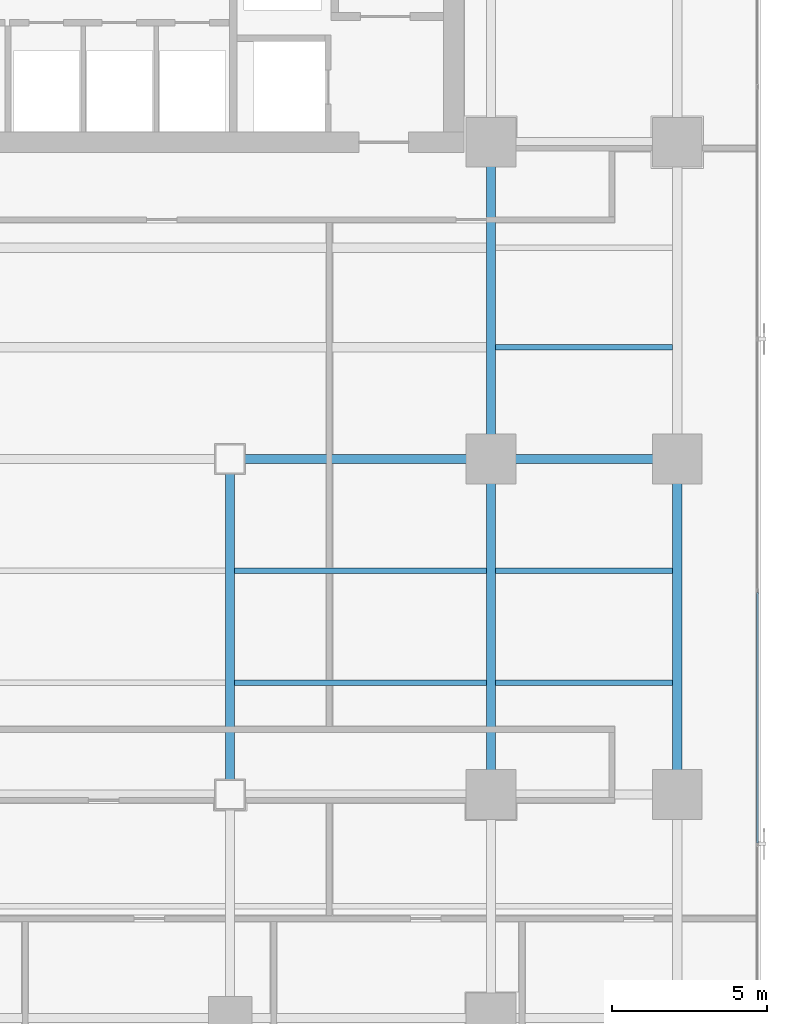
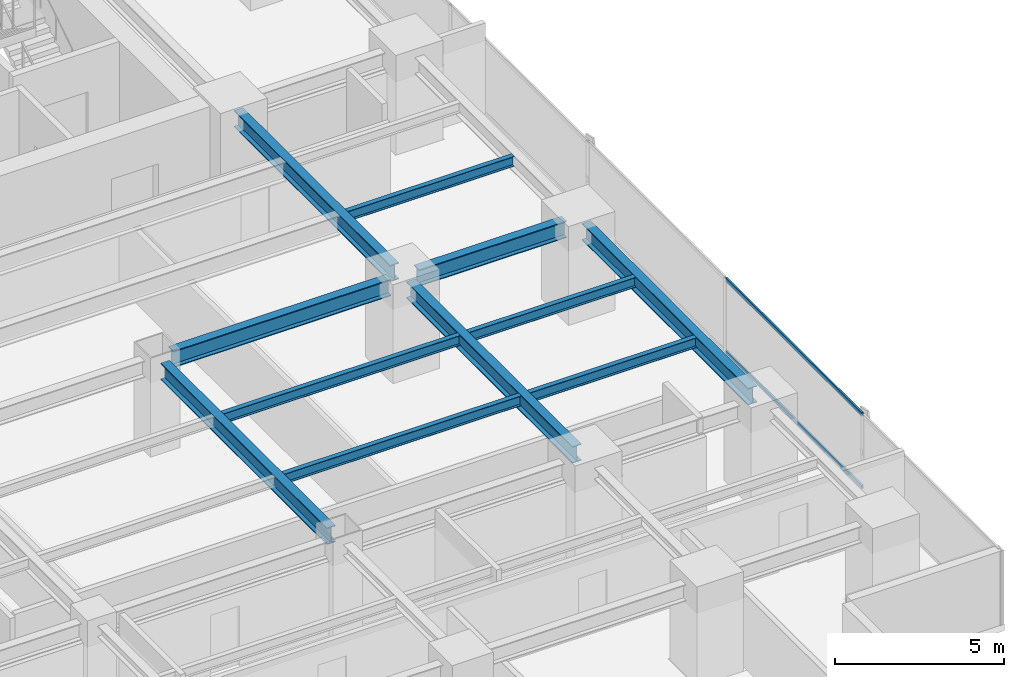
# One storey, part 15 of 36: 11 beams, 2 members, 1 element without a shape of its own.
"""IFC4 building model written with IfcOpenShell, lengths in metres."""

from ifc_helpers import new_model, si_unit, direction, frame, origin, origin_2d, place, context, subcontext, project, spatial, hollow_rectangle, i_section, extrude, source, transform, mapped, material, layer, layer_set, material_profile, profile_set, type_object, element, aggregate, save


model = new_model("IFC4")

# Units and contexts
model_context = context("Model", 3, precision=1e-05, world=origin(), true_north=direction((0.0, 1.0)))
body_context = subcontext(model_context, "Body", "Model", "MODEL_VIEW")
ifc_project = project(units=[si_unit("LENGTHUNIT", "METRE"), si_unit("AREAUNIT", "SQUARE_METRE"), si_unit("VOLUMEUNIT", "CUBIC_METRE"), si_unit("PLANEANGLEUNIT", "RADIAN"), si_unit("MASSUNIT", "GRAM", prefix="KILO")], contexts=[model_context])

# Site, building, storey
site_placement = place(None, origin())
site = spatial("IfcSite", under=ifc_project, at=site_placement, CompositionType="ELEMENT")
building_placement = place(site_placement, origin())
building = spatial("IfcBuilding", under=site, at=building_placement, Name="Sumidabori Civic Tower", CompositionType="ELEMENT")
storey_placement = place(building_placement, frame((0.0, 0.0, 120.800048828125)))
storey = spatial("IfcBuildingStorey", under=building, at=storey_placement, Name="L31", CompositionType="ELEMENT", Elevation=120.800048828125)

# Beams
ifc_material_1 = material(Name="Steel SN490", Category="steel")
ifc_material_profile_1 = material_profile(ifc_material_1, i_section(OverallWidth=0.300048828125, OverallDepth=0.60009765625, WebThickness=0.015380859375, FlangeThickness=0.030029296875, at=origin_2d()), Name="HE 600 B")
ifc_profile_set_1 = profile_set([ifc_material_profile_1], Name="Steel SN490")
beam_type_1 = type_object("IfcBeamType", Name="BM-GIRD-600", PredefinedType="BEAM", material=ifc_profile_set_1)
shared_shape_1 = source(origin(), body_context, "Body", "SweptSolid", [
    extrude(i_section(OverallWidth=0.300048828125, OverallDepth=0.60009765625, WebThickness=0.015380859375, FlangeThickness=0.030029296875, at=origin_2d()), origin(), (0.0, 0.0, 1.0), 5.0400390625),
])
beam_1_placement = place(storey_placement, frame((17.280029296875, 0.0, 3.0), z_axis=(1.0, 0.0, 0.0), x_axis=(0.0, 1.0, 0.0)))
element("IfcBeam", 1, at=beam_1_placement, inside=storey, type_object=beam_type_1, Name="Primary Girder L31 GX-18", PredefinedType="BEAM", context=body_context, shape_type="MappedRepresentation", body=[
    mapped(shared_shape_1, transform((0.0, 0.0, 0.0), x_axis=(1.0, 0.0, 0.0), y_axis=(0.0, 1.0, 0.0), z_axis=(0.0, 0.0, 1.0), scale=1.0)),
])
shared_shape_2 = source(origin(), body_context, "Body", "SweptSolid", [
    extrude(i_section(OverallWidth=0.300048828125, OverallDepth=0.60009765625, WebThickness=0.015380859375, FlangeThickness=0.030029296875, at=origin_2d()), origin(), (0.0, 0.0, 1.0), 7.440185546875),
])
beam_2_placement = place(storey_placement, frame((8.8798828125, 0.0, 3.0), z_axis=(1.0, 0.0, 0.0), x_axis=(0.0, 1.0, 0.0)))
element("IfcBeam", 2, at=beam_2_placement, inside=storey, type_object=beam_type_1, Name="Primary Girder L31 GX-17", PredefinedType="BEAM", context=body_context, shape_type="MappedRepresentation", body=[
    mapped(shared_shape_2, transform((0.0, 0.0, 0.0), x_axis=(1.0, 0.0, 0.0), y_axis=(0.0, 1.0, 0.0), z_axis=(0.0, 0.0, 1.0), scale=1.0)),
])
shared_shape_3 = source(origin(), body_context, "Body", "SweptSolid", [
    extrude(i_section(OverallWidth=0.300048828125, OverallDepth=0.60009765625, WebThickness=0.015380859375, FlangeThickness=0.030029296875, at=origin_2d()), origin(), (0.0, 0.0, 1.0), 9.840087890625),
])
for number, where, z_axis, x_axis, name in (
    (3, (8.39990234375, -10.320068359375, 3.0), (0.0, 1.0, 0.0), (-1.0, 0.0, 0.0), "Primary Girder L31 GY-34"),
    (4, (16.800048828125, -10.320068359375, 3.0), (0.0, 1.0, 0.0), (-1.0, 0.0, 0.0), "Primary Girder L31 GY-36"),
    (5, (22.800048828125, -10.320068359375, 3.0), (0.0, 1.0, 0.0), (-1.0, 0.0, 0.0), "Primary Girder L31 GY-40"),
):
    element("IfcBeam", number, at=place(storey_placement, frame(where, z_axis=z_axis, x_axis=x_axis)), inside=storey, type_object=beam_type_1, Name=name, PredefinedType="BEAM", context=body_context, shape_type="MappedRepresentation", body=[
        mapped(shared_shape_3, transform((0.0, 0.0, 0.0), x_axis=(1.0, 0.0, 0.0), y_axis=(0.0, 1.0, 0.0), z_axis=(0.0, 0.0, 1.0), scale=1.0)),
    ])
shared_shape_4 = source(origin(), body_context, "Body", "SweptSolid", [
    extrude(i_section(OverallWidth=0.300048828125, OverallDepth=0.60009765625, WebThickness=0.015380859375, FlangeThickness=0.030029296875, at=origin_2d()), origin(), (0.0, 0.0, 1.0), 9.239990234375),
])
beam_3_placement = place(storey_placement, frame((16.800048828125, 0.47998046875, 3.0), z_axis=(0.0, 1.0, 0.0), x_axis=(-1.0, 0.0, 0.0)))
element("IfcBeam", 6, at=beam_3_placement, inside=storey, type_object=beam_type_1, Name="Primary Girder L31 GY-37", PredefinedType="BEAM", context=body_context, shape_type="MappedRepresentation", body=[
    mapped(shared_shape_4, transform((0.0, 0.0, 0.0), x_axis=(1.0, 0.0, 0.0), y_axis=(0.0, 1.0, 0.0), z_axis=(0.0, 0.0, 1.0), scale=1.0)),
])
ifc_material_profile_2 = material_profile(ifc_material_1, i_section(OverallWidth=0.169921875, OverallDepth=0.360107421875, WebThickness=0.008056640625, FlangeThickness=0.0126953125, at=origin_2d()), Name="IPE 360")
ifc_profile_set_2 = profile_set([ifc_material_profile_2], Name="Steel SN490")
beam_type_2 = type_object("IfcBeamType", Name="BM-JST-360", PredefinedType="JOIST", material=ifc_profile_set_2)
shared_shape_5 = source(origin(), body_context, "Body", "SweptSolid", [
    extrude(i_section(OverallWidth=0.169921875, OverallDepth=0.360107421875, WebThickness=0.008056640625, FlangeThickness=0.0126953125, at=origin_2d()), origin(), (0.0, 0.0, 1.0), 5.699951171875),
])
for number, where, z_axis, x_axis, name in (
    (7, (16.949951171875, -7.199951171875, 3.119873046875), (1.0, 0.0, 0.0), (0.0, 1.0, 0.0), "Outer Bay Floor Joist L31 JSTO-44"),
    (8, (16.949951171875, -3.60009765625, 3.119873046875), (1.0, 0.0, 0.0), (0.0, 1.0, 0.0), "Outer Bay Floor Joist L31 JSTO-46"),
    (9, (16.949951171875, 3.60009765625, 3.119873046875), (1.0, 0.0, 0.0), (0.0, 1.0, 0.0), "Outer Bay Floor Joist L31 JSTO-48"),
):
    element("IfcBeam", number, at=place(storey_placement, frame(where, z_axis=z_axis, x_axis=x_axis)), inside=storey, type_object=beam_type_2, Name=name, PredefinedType="JOIST", context=body_context, shape_type="MappedRepresentation", body=[
        mapped(shared_shape_5, transform((0.0, 0.0, 0.0), x_axis=(1.0, 0.0, 0.0), y_axis=(0.0, 1.0, 0.0), z_axis=(0.0, 0.0, 1.0), scale=1.0)),
    ])
shared_shape_6 = source(origin(), body_context, "Body", "SweptSolid", [
    extrude(i_section(OverallWidth=0.169921875, OverallDepth=0.360107421875, WebThickness=0.008056640625, FlangeThickness=0.0126953125, at=origin_2d()), origin(), (0.0, 0.0, 1.0), 8.099853515625),
])
for number, where, z_axis, x_axis, name in (
    (10, (8.550048828125, -7.199951171875, 3.119873046875), (1.0, 0.0, 0.0), (0.0, 1.0, 0.0), "South Bay Floor Joist L31 JSTS-62"),
    (11, (8.550048828125, -3.60009765625, 3.119873046875), (1.0, 0.0, 0.0), (0.0, 1.0, 0.0), "South Bay Floor Joist L31 JSTS-66"),
):
    element("IfcBeam", number, at=place(storey_placement, frame(where, z_axis=z_axis, x_axis=x_axis)), inside=storey, type_object=beam_type_2, Name=name, PredefinedType="JOIST", context=body_context, shape_type="MappedRepresentation", body=[
        mapped(shared_shape_6, transform((0.0, 0.0, 0.0), x_axis=(1.0, 0.0, 0.0), y_axis=(0.0, 1.0, 0.0), z_axis=(0.0, 0.0, 1.0), scale=1.0)),
    ])

# Curtain wall, members
ifc_material_2 = material(Name="Anodised Bronze Aluminium AW-6063-T6", Category="aluminium")
ifc_layer = layer(ifc_material_2, 0.179931640625, Name="Anodised Bronze Aluminium AW-6063-T6")
ifc_layer_set = layer_set([ifc_layer], Name="Anodised Bronze Aluminium AW-6063-T6")
curtain_wall_type = type_object("IfcCurtainWallType", Name="CW-SYS-3", PredefinedType="NOTDEFINED", material=ifc_layer_set)
curtain_wall_placement = place(storey_placement, origin())
curtain_wall = element("IfcCurtainWall", 12, at=curtain_wall_placement, inside=storey, type_object=curtain_wall_type, Name="Curtain Wall CW:L31:R04", PredefinedType="NOTDEFINED")
ifc_material_profile_3 = material_profile(ifc_material_2, hollow_rectangle(XDim=0.06005859375, YDim=0.1298828125, WallThickness=0.0048828125, at=origin_2d()), Name="ALU TRANSOM 130x60")
ifc_profile_set_3 = profile_set([ifc_material_profile_3], Name="Anodised Bronze Aluminium AW-6063-T6")
member_type = type_object("IfcMemberType", Name="CW-TRN-130", PredefinedType="USERDEFINED", material=ifc_profile_set_3)
shared_shape_7 = source(origin(), body_context, "Body", "SweptSolid", [
    extrude(hollow_rectangle(XDim=0.06005859375, YDim=0.1298828125, WallThickness=0.0048828125, at=origin_2d()), origin(), (0.0, 0.0, 1.0), 8.063232421875),
])
member_1_placement = place(storey_placement, frame((25.3798828125, -12.359619140625, 0.030029296875), z_axis=(0.0, 1.0, 0.0), x_axis=(-1.0, 0.0, 0.0)))
member_1 = element("IfcMember", 13, at=member_1_placement, type_object=member_type, Name="CW-3 transom 2.1", ObjectType="TRANSOM", PredefinedType="USERDEFINED", context=body_context, shape_type="MappedRepresentation", body=[
    mapped(shared_shape_7, transform((0.0, 0.0, 0.0), x_axis=(1.0, 0.0, 0.0), y_axis=(0.0, 1.0, 0.0), z_axis=(0.0, 0.0, 1.0), scale=1.0)),
])
member_2_placement = place(storey_placement, frame((25.3798828125, -12.359619140625, 2.64990234375), z_axis=(0.0, 1.0, 0.0), x_axis=(-1.0, 0.0, 0.0)))
member_2 = element("IfcMember", 14, at=member_2_placement, type_object=member_type, Name="CW-3 transom 2.2", ObjectType="TRANSOM", PredefinedType="USERDEFINED", context=body_context, shape_type="MappedRepresentation", body=[
    mapped(shared_shape_7, transform((0.0, 0.0, 0.0), x_axis=(1.0, 0.0, 0.0), y_axis=(0.0, 1.0, 0.0), z_axis=(0.0, 0.0, 1.0), scale=1.0)),
])
aggregate(curtain_wall, [member_1, member_2])

save(model, "model.ifc")
